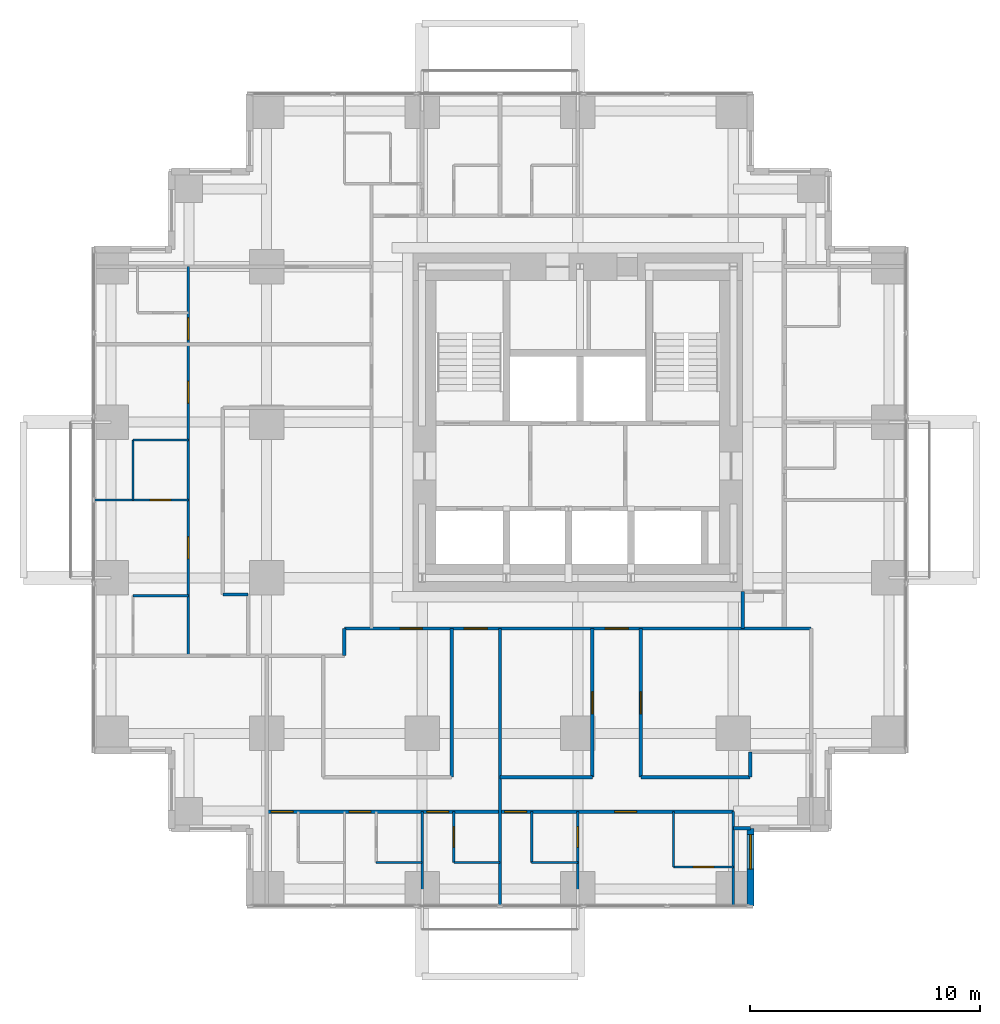
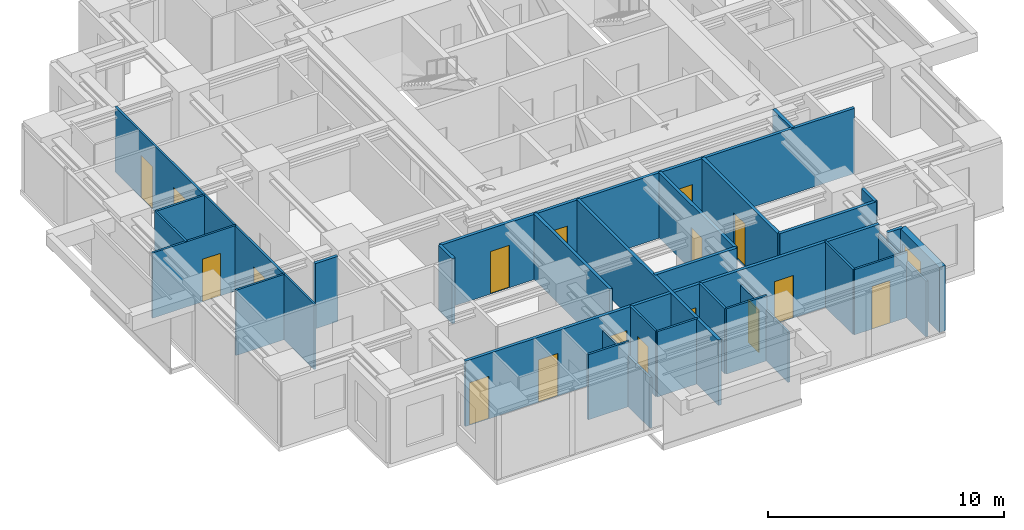
# One storey, part 6 of 10: 29 walls, 17 doors, 1 window, 18 openings.
"""IFC4 building model written with IfcOpenShell, lengths in metres."""

from ifc_helpers import new_model, si_unit, direction, frame, frame_2d, origin, place, context, subcontext, project, spatial, rectangle, extrude, material, layer, layer_set, type_object, element, fill, save


model = new_model("IFC4")

# Units and contexts
model_context = context("Model", 3, precision=1e-05, world=origin(), true_north=direction((0.0, 1.0)))
body_context = subcontext(model_context, "Body", "Model", "MODEL_VIEW")
ifc_project = project(units=[si_unit("LENGTHUNIT", "METRE"), si_unit("AREAUNIT", "SQUARE_METRE"), si_unit("VOLUMEUNIT", "CUBIC_METRE"), si_unit("PLANEANGLEUNIT", "RADIAN"), si_unit("MASSUNIT", "GRAM", prefix="KILO")], contexts=[model_context])

# Site, building, storey
site_placement = place(None, origin())
site = spatial("IfcSite", under=ifc_project, at=site_placement, CompositionType="ELEMENT")
building_placement = place(site_placement, origin())
building = spatial("IfcBuilding", under=site, at=building_placement, Name="Nyansa Garden Tower", CompositionType="ELEMENT")
storey_placement = place(building_placement, frame((0.0, 0.0, 153.0)))
storey = spatial("IfcBuildingStorey", under=building, at=storey_placement, Name="L41", CompositionType="ELEMENT", Elevation=153.0)

# Wall
ifc_material_1 = material(Name="Blockwork, plastered both sides", Category="masonry")
ifc_layer_1 = layer(ifc_material_1, 0.14990234375)
ifc_layer_set_1 = layer_set([ifc_layer_1], Name="Partition PW150")
wall_type_1 = type_object("IfcWallType", Name="Partition PW150", PredefinedType="PARTITIONING", material=ifc_layer_set_1)
wall_1_placement = place(storey_placement, frame((4.85009765625, 12.77490234375, 0.0), z_axis=(0.0, 0.0, 1.0), x_axis=(1.0, 0.0, 0.0)))
element("IfcWall", 1, at=wall_1_placement, inside=storey, type_object=wall_type_1, Name="Partition", PredefinedType="PARTITIONING", context=body_context, shape_type="SweptSolid", body=[
    extrude(rectangle(XDim=1.099853515625, YDim=0.14990234375, at=frame_2d((0.5498046875, 0.0))), origin(), (0.0, 0.0, 1.0), 3.375),
])

# Wall, openings, doors
wall_2_placement = place(storey_placement, frame((6.75, 3.35009765625, 0.0), z_axis=(0.0, 0.0, 1.0), x_axis=(1.0, 0.0, 0.0)))
wall_2 = element("IfcWall", 2, at=wall_2_placement, inside=storey, type_object=wall_type_1, Name="Partition", PredefinedType="PARTITIONING", context=body_context, shape_type="SweptSolid", body=[
    extrude(rectangle(XDim=20.25, YDim=0.14990234375, at=frame_2d((10.125, 0.0))), origin(), (0.0, 0.0, 1.0), 3.375),
])
opening_1_placement = place(wall_2_placement, frame((0.199951171875, 0.0, 0.0)))
opening_1 = element("IfcOpeningElement", 3, at=opening_1_placement, cuts=wall_2, Name="Opening D01", PredefinedType="OPENING", context=body_context, shape_type="SweptSolid", body=[
    extrude(rectangle(XDim=0.949951171875, YDim=2.199951171875, at=frame_2d((0.47509765625, 1.10009765625))), frame((0.0, 0.0849609375, 0.0), z_axis=(0.0, -1.0, 0.0), x_axis=(1.0, 0.0, 0.0)), (0.0, 0.0, 1.0), 0.169921875),
])
opening_2_placement = place(wall_2_placement, frame((3.574951171875, 0.0, 0.0)))
opening_2 = element("IfcOpeningElement", 4, at=opening_2_placement, cuts=wall_2, Name="Opening D01", PredefinedType="OPENING", context=body_context, shape_type="SweptSolid", body=[
    extrude(rectangle(XDim=0.949951171875, YDim=2.199951171875, at=frame_2d((0.47509765625, 1.10009765625))), frame((0.0, 0.0849609375, 0.0), z_axis=(0.0, -1.0, 0.0), x_axis=(1.0, 0.0, 0.0)), (0.0, 0.0, 1.0), 0.169921875),
])
opening_3_placement = place(wall_2_placement, frame((6.949951171875, 0.0, 0.0)))
opening_3 = element("IfcOpeningElement", 5, at=opening_3_placement, cuts=wall_2, Name="Opening D01", PredefinedType="OPENING", context=body_context, shape_type="SweptSolid", body=[
    extrude(rectangle(XDim=0.949951171875, YDim=2.199951171875, at=frame_2d((0.47509765625, 1.10009765625))), frame((0.0, 0.0849609375, 0.0), z_axis=(0.0, -1.0, 0.0), x_axis=(1.0, 0.0, 0.0)), (0.0, 0.0, 1.0), 0.169921875),
])
opening_4_placement = place(wall_2_placement, frame((15.10009765625, 0.0, 0.0)))
opening_4 = element("IfcOpeningElement", 6, at=opening_4_placement, cuts=wall_2, Name="Opening D14", PredefinedType="OPENING", context=body_context, shape_type="SweptSolid", body=[
    extrude(rectangle(XDim=0.949951171875, YDim=2.199951171875, at=frame_2d((0.47509765625, 1.10009765625))), frame((0.0, 0.0849609375, 0.0), z_axis=(0.0, -1.0, 0.0), x_axis=(1.0, 0.0, 0.0)), (0.0, 0.0, 1.0), 0.169921875),
])
opening_5_placement = place(wall_2_placement, frame((10.324951171875, 0.0, 0.0)))
opening_5 = element("IfcOpeningElement", 7, at=opening_5_placement, cuts=wall_2, Name="Opening D14", PredefinedType="OPENING", context=body_context, shape_type="SweptSolid", body=[
    extrude(rectangle(XDim=0.949951171875, YDim=2.199951171875, at=frame_2d((0.47509765625, 1.10009765625))), frame((0.0, 0.0849609375, 0.0), z_axis=(0.0, -1.0, 0.0), x_axis=(1.0, 0.0, 0.0)), (0.0, 0.0, 1.0), 0.169921875),
])
ifc_material_2 = material(Name="Timber flush door, 30 minute fire resisting", Category="wood")
door_type_1 = type_object("IfcDoorType", Name="Bedroom door D01 950x2200", OperationType="SINGLE_SWING_LEFT", PredefinedType="DOOR", material=ifc_material_2)
door_1_placement = place(opening_1_placement, origin())
door_1 = element("IfcDoor", 8, at=door_1_placement, inside=storey, type_object=door_type_1, Name="Door L41-018", OperationType="SINGLE_SWING_LEFT", OverallHeight=2.199951171875, OverallWidth=0.949951171875, PredefinedType="DOOR", context=body_context, shape_type="SweptSolid", body=[
    extrude(rectangle(XDim=0.949951171875, YDim=2.199951171875, at=frame_2d((0.47509765625, 1.10009765625))), frame((0.0, 0.02490234375, 0.0), z_axis=(0.0, -1.0, 0.0), x_axis=(1.0, 0.0, 0.0)), (0.0, 0.0, 1.0), 0.050048828125),
])
fill(opening_1, door_1)
door_2_placement = place(opening_2_placement, origin())
door_2 = element("IfcDoor", 9, at=door_2_placement, inside=storey, type_object=door_type_1, Name="Door L41-020", OperationType="SINGLE_SWING_LEFT", OverallHeight=2.199951171875, OverallWidth=0.949951171875, PredefinedType="DOOR", context=body_context, shape_type="SweptSolid", body=[
    extrude(rectangle(XDim=0.949951171875, YDim=2.199951171875, at=frame_2d((0.47509765625, 1.10009765625))), frame((0.0, 0.02490234375, 0.0), z_axis=(0.0, -1.0, 0.0), x_axis=(1.0, 0.0, 0.0)), (0.0, 0.0, 1.0), 0.050048828125),
])
fill(opening_2, door_2)
door_3_placement = place(opening_3_placement, origin())
door_3 = element("IfcDoor", 10, at=door_3_placement, inside=storey, type_object=door_type_1, Name="Door L41-022", OperationType="SINGLE_SWING_LEFT", OverallHeight=2.199951171875, OverallWidth=0.949951171875, PredefinedType="DOOR", context=body_context, shape_type="SweptSolid", body=[
    extrude(rectangle(XDim=0.949951171875, YDim=2.199951171875, at=frame_2d((0.47509765625, 1.10009765625))), frame((0.0, 0.02490234375, 0.0), z_axis=(0.0, -1.0, 0.0), x_axis=(1.0, 0.0, 0.0)), (0.0, 0.0, 1.0), 0.050048828125),
])
fill(opening_3, door_3)
ifc_material_3 = material(Name="Timber flush door, 60 minute fire resisting, self-closing", Category="wood")
door_type_2 = type_object("IfcDoorType", Name="Studio entrance door D14 950x2200", OperationType="SINGLE_SWING_LEFT", PredefinedType="DOOR", material=ifc_material_3)
door_4_placement = place(opening_4_placement, origin())
door_4 = element("IfcDoor", 11, at=door_4_placement, inside=storey, type_object=door_type_2, Name="Door L41-025", OperationType="SINGLE_SWING_LEFT", OverallHeight=2.199951171875, OverallWidth=0.949951171875, PredefinedType="DOOR", context=body_context, shape_type="SweptSolid", body=[
    extrude(rectangle(XDim=0.949951171875, YDim=2.199951171875, at=frame_2d((0.47509765625, 1.10009765625))), frame((0.0, 0.02490234375, 0.0), z_axis=(0.0, -1.0, 0.0), x_axis=(1.0, 0.0, 0.0)), (0.0, 0.0, 1.0), 0.050048828125),
])
fill(opening_4, door_4)
door_5_placement = place(opening_5_placement, origin())
door_5 = element("IfcDoor", 12, at=door_5_placement, inside=storey, type_object=door_type_2, Name="Door L41-027", OperationType="SINGLE_SWING_LEFT", OverallHeight=2.199951171875, OverallWidth=0.949951171875, PredefinedType="DOOR", context=body_context, shape_type="SweptSolid", body=[
    extrude(rectangle(XDim=0.949951171875, YDim=2.199951171875, at=frame_2d((0.47509765625, 1.10009765625))), frame((0.0, 0.02490234375, 0.0), z_axis=(0.0, -1.0, 0.0), x_axis=(1.0, 0.0, 0.0)), (0.0, 0.0, 1.0), 0.050048828125),
])
fill(opening_5, door_5)

# Wall
wall_3_placement = place(storey_placement, frame((10.125, 10.125, 0.0), z_axis=(0.0, 0.0, 1.0), x_axis=(0.0, 1.0, 0.0)))
element("IfcWall", 13, at=wall_3_placement, inside=storey, type_object=wall_type_1, Name="Partition", PredefinedType="PARTITIONING", context=body_context, shape_type="SweptSolid", body=[
    extrude(rectangle(XDim=1.175048828125, YDim=0.14990234375, at=frame_2d((0.58740234375, 0.0))), origin(), (0.0, 0.0, 1.0), 3.375),
])

# Wall, openings, doors
wall_4_placement = place(storey_placement, frame((10.125, 11.300048828125, 0.0), z_axis=(0.0, 0.0, 1.0), x_axis=(1.0, 0.0, 0.0)))
wall_4 = element("IfcWall", 14, at=wall_4_placement, inside=storey, type_object=wall_type_1, Name="Partition", PredefinedType="PARTITIONING", context=body_context, shape_type="SweptSolid", body=[
    extrude(rectangle(XDim=20.25, YDim=0.14990234375, at=frame_2d((10.125, 0.0))), origin(), (0.0, 0.0, 1.0), 3.375),
])
opening_6_placement = place(wall_4_placement, frame((5.199951171875, 0.0, 0.0)))
opening_6 = element("IfcOpeningElement", 15, at=opening_6_placement, cuts=wall_4, Name="Opening D03", PredefinedType="OPENING", context=body_context, shape_type="SweptSolid", body=[
    extrude(rectangle(XDim=1.0, YDim=2.199951171875, at=frame_2d((0.5, 1.10009765625))), frame((0.0, 0.0849609375, 0.0), z_axis=(0.0, -1.0, 0.0), x_axis=(1.0, 0.0, 0.0)), (0.0, 0.0, 1.0), 0.169921875),
])
opening_7_placement = place(wall_4_placement, frame((11.3125, 0.0, 0.0)))
opening_7 = element("IfcOpeningElement", 16, at=opening_7_placement, cuts=wall_4, Name="Opening D03", PredefinedType="OPENING", context=body_context, shape_type="SweptSolid", body=[
    extrude(rectangle(XDim=1.0, YDim=2.199951171875, at=frame_2d((0.5, 1.10009765625))), frame((0.0, 0.0849609375, 0.0), z_axis=(0.0, -1.0, 0.0), x_axis=(1.0, 0.0, 0.0)), (0.0, 0.0, 1.0), 0.169921875),
])
opening_8_placement = place(wall_4_placement, frame((2.425048828125, 0.0, 0.0)))
opening_8 = element("IfcOpeningElement", 17, at=opening_8_placement, cuts=wall_4, Name="Opening D01", PredefinedType="OPENING", context=body_context, shape_type="SweptSolid", body=[
    extrude(rectangle(XDim=0.949951171875, YDim=2.199951171875, at=frame_2d((0.47509765625, 1.10009765625))), frame((0.0, 0.0849609375, 0.0), z_axis=(0.0, -1.0, 0.0), x_axis=(1.0, 0.0, 0.0)), (0.0, 0.0, 1.0), 0.169921875),
])
door_6_placement = place(opening_8_placement, origin())
door_6 = element("IfcDoor", 18, at=door_6_placement, inside=storey, type_object=door_type_1, Name="Door L41-030", OperationType="SINGLE_SWING_LEFT", OverallHeight=2.199951171875, OverallWidth=0.949951171875, PredefinedType="DOOR", context=body_context, shape_type="SweptSolid", body=[
    extrude(rectangle(XDim=0.949951171875, YDim=2.199951171875, at=frame_2d((0.47509765625, 1.10009765625))), frame((0.0, 0.02490234375, 0.0), z_axis=(0.0, -1.0, 0.0), x_axis=(1.0, 0.0, 0.0)), (0.0, 0.0, 1.0), 0.050048828125),
])
fill(opening_8, door_6)
ifc_material_4 = material(Name="Timber flush door, 60 minute fire resisting", Category="wood")
door_type_3 = type_object("IfcDoorType", Name="Cluster entrance door D03 1000x2200", OperationType="SINGLE_SWING_LEFT", PredefinedType="DOOR", material=ifc_material_4)
door_7_placement = place(opening_6_placement, origin())
door_7 = element("IfcDoor", 19, at=door_7_placement, inside=storey, type_object=door_type_3, Name="Door L41-024", OperationType="SINGLE_SWING_LEFT", OverallHeight=2.199951171875, OverallWidth=1.0, PredefinedType="DOOR", context=body_context, shape_type="SweptSolid", body=[
    extrude(rectangle(XDim=1.0, YDim=2.199951171875, at=frame_2d((0.5, 1.10009765625))), frame((0.0, 0.02490234375, 0.0), z_axis=(0.0, -1.0, 0.0), x_axis=(1.0, 0.0, 0.0)), (0.0, 0.0, 1.0), 0.050048828125),
])
fill(opening_6, door_7)
door_8_placement = place(opening_7_placement, origin())
door_8 = element("IfcDoor", 20, at=door_8_placement, inside=storey, type_object=door_type_3, Name="Door L41-029", OperationType="SINGLE_SWING_LEFT", OverallHeight=2.199951171875, OverallWidth=1.0, PredefinedType="DOOR", context=body_context, shape_type="SweptSolid", body=[
    extrude(rectangle(XDim=1.0, YDim=2.199951171875, at=frame_2d((0.5, 1.10009765625))), frame((0.0, 0.02490234375, 0.0), z_axis=(0.0, -1.0, 0.0), x_axis=(1.0, 0.0, 0.0)), (0.0, 0.0, 1.0), 0.050048828125),
])
fill(opening_7, door_8)

# Walls
wall_5_placement = place(storey_placement, frame((14.77490234375, 4.85009765625, 0.0), z_axis=(0.0, 0.0, 1.0), x_axis=(0.0, 1.0, 0.0)))
element("IfcWall", 21, at=wall_5_placement, inside=storey, type_object=wall_type_1, Name="Partition", PredefinedType="PARTITIONING", context=body_context, shape_type="SweptSolid", body=[
    extrude(rectangle(XDim=6.449951171875, YDim=0.14990234375, at=frame_2d((3.22509765625, 0.0))), origin(), (0.0, 0.0, 1.0), 3.375),
])
wall_6_placement = place(storey_placement, frame((16.875, -0.73388671875, 0.0), z_axis=(0.0, 0.0, 1.0), x_axis=(0.0, 1.0, 0.0)))
element("IfcWall", 22, at=wall_6_placement, inside=storey, type_object=wall_type_1, Name="Partition", PredefinedType="PARTITIONING", context=body_context, shape_type="SweptSolid", body=[
    extrude(rectangle(XDim=12.033935546875, YDim=0.14990234375, at=frame_2d((6.01708984375, 0.0))), origin(), (0.0, 0.0, 1.0), 3.375),
])
wall_7_placement = place(storey_placement, frame((16.875, 4.85009765625, 0.0), z_axis=(0.0, 0.0, 1.0), x_axis=(1.0, 0.0, 0.0)))
element("IfcWall", 23, at=wall_7_placement, inside=storey, type_object=wall_type_1, Name="Partition", PredefinedType="PARTITIONING", context=body_context, shape_type="SweptSolid", body=[
    extrude(rectangle(XDim=4.012451171875, YDim=0.14990234375, at=frame_2d((2.00634765625, 0.0))), origin(), (0.0, 0.0, 1.0), 3.375),
])

# Wall, opening, door
wall_8_placement = place(storey_placement, frame((20.886962890625, 4.85009765625, 0.0), z_axis=(0.0, 0.0, 1.0), x_axis=(0.0, 1.0, 0.0)))
wall_8 = element("IfcWall", 24, at=wall_8_placement, inside=storey, type_object=wall_type_1, Name="Partition", PredefinedType="PARTITIONING", context=body_context, shape_type="SweptSolid", body=[
    extrude(rectangle(XDim=6.449951171875, YDim=0.14990234375, at=frame_2d((3.22509765625, 0.0))), origin(), (0.0, 0.0, 1.0), 3.375),
])
opening_9_placement = place(wall_8_placement, frame((2.75, 0.0, 0.0)))
opening_9 = element("IfcOpeningElement", 25, at=opening_9_placement, cuts=wall_8, Name="Opening D01", PredefinedType="OPENING", context=body_context, shape_type="SweptSolid", body=[
    extrude(rectangle(XDim=0.949951171875, YDim=2.199951171875, at=frame_2d((0.47509765625, 1.10009765625))), frame((0.0, 0.0849609375, 0.0), z_axis=(0.0, -1.0, 0.0), x_axis=(1.0, 0.0, 0.0)), (0.0, 0.0, 1.0), 0.169921875),
])
door_9_placement = place(opening_9_placement, origin())
door_9 = element("IfcDoor", 26, at=door_9_placement, inside=storey, type_object=door_type_1, Name="Door L41-031", OperationType="SINGLE_SWING_LEFT", OverallHeight=2.199951171875, OverallWidth=0.949951171875, PredefinedType="DOOR", context=body_context, shape_type="SweptSolid", body=[
    extrude(rectangle(XDim=0.949951171875, YDim=2.199951171875, at=frame_2d((0.47509765625, 1.10009765625))), frame((0.0, 0.02490234375, 0.0), z_axis=(0.0, -1.0, 0.0), x_axis=(1.0, 0.0, 0.0)), (0.0, 0.0, 1.0), 0.050048828125),
])
fill(opening_9, door_9)

# Wall
wall_9_placement = place(storey_placement, frame((22.987548828125, 4.85009765625, 0.0), z_axis=(0.0, 0.0, 1.0), x_axis=(1.0, 0.0, 0.0)))
element("IfcWall", 27, at=wall_9_placement, inside=storey, type_object=wall_type_1, Name="Partition", PredefinedType="PARTITIONING", context=body_context, shape_type="SweptSolid", body=[
    extrude(rectangle(XDim=4.737548828125, YDim=0.14990234375, at=frame_2d((2.36865234375, 0.0))), origin(), (0.0, 0.0, 1.0), 3.375),
])

# Wall, opening, door
wall_10_placement = place(storey_placement, frame((22.988037109375, 4.85009765625, 0.0), z_axis=(0.0, 0.0, 1.0), x_axis=(0.0, 1.0, 0.0)))
wall_10 = element("IfcWall", 28, at=wall_10_placement, inside=storey, type_object=wall_type_1, Name="Partition", PredefinedType="PARTITIONING", context=body_context, shape_type="SweptSolid", body=[
    extrude(rectangle(XDim=6.449951171875, YDim=0.14990234375, at=frame_2d((3.22509765625, 0.0))), origin(), (0.0, 0.0, 1.0), 3.375),
])
opening_10_placement = place(wall_10_placement, frame((2.75, 0.0, 0.0)))
opening_10 = element("IfcOpeningElement", 29, at=opening_10_placement, cuts=wall_10, Name="Opening D01", PredefinedType="OPENING", context=body_context, shape_type="SweptSolid", body=[
    extrude(rectangle(XDim=0.949951171875, YDim=2.199951171875, at=frame_2d((0.47509765625, 1.10009765625))), frame((0.0, 0.0849609375, 0.0), z_axis=(0.0, -1.0, 0.0), x_axis=(1.0, 0.0, 0.0)), (0.0, 0.0, 1.0), 0.169921875),
])
door_10_placement = place(opening_10_placement, origin())
door_10 = element("IfcDoor", 30, at=door_10_placement, inside=storey, type_object=door_type_1, Name="Door L41-032", OperationType="SINGLE_SWING_LEFT", OverallHeight=2.199951171875, OverallWidth=0.949951171875, PredefinedType="DOOR", context=body_context, shape_type="SweptSolid", body=[
    extrude(rectangle(XDim=0.949951171875, YDim=2.199951171875, at=frame_2d((0.47509765625, 1.10009765625))), frame((0.0, 0.02490234375, 0.0), z_axis=(0.0, -1.0, 0.0), x_axis=(1.0, 0.0, 0.0)), (0.0, 0.0, 1.0), 0.050048828125),
])
fill(opening_10, door_10)

# Walls
wall_11_placement = place(storey_placement, frame((27.0, 2.625, 0.0), z_axis=(0.0, 0.0, 1.0), x_axis=(1.0, 0.0, 0.0)))
element("IfcWall", 31, at=wall_11_placement, inside=storey, type_object=wall_type_1, Name="Partition", PredefinedType="PARTITIONING", context=body_context, shape_type="SweptSolid", body=[
    extrude(rectangle(XDim=0.73388671875, YDim=0.14990234375, at=frame_2d((0.366943359375, 0.0))), origin(), (0.0, 0.0, 1.0), 3.375),
])
wall_12_placement = place(storey_placement, frame((27.39990234375, 11.300048828125, 0.0), z_axis=(0.0, 0.0, 1.0), x_axis=(0.0, 1.0, 0.0)))
element("IfcWall", 32, at=wall_12_placement, inside=storey, type_object=wall_type_1, Name="Partition", PredefinedType="PARTITIONING", context=body_context, shape_type="SweptSolid", body=[
    extrude(rectangle(XDim=1.599853515625, YDim=0.14990234375, at=frame_2d((0.7998046875, 0.0))), origin(), (0.0, 0.0, 1.0), 3.375),
])
wall_13_placement = place(storey_placement, frame((27.72509765625, 4.85009765625, 0.0), z_axis=(0.0, 0.0, 1.0), x_axis=(0.0, 1.0, 0.0)))
element("IfcWall", 33, at=wall_13_placement, inside=storey, type_object=wall_type_1, Name="Partition", PredefinedType="PARTITIONING", context=body_context, shape_type="SweptSolid", body=[
    extrude(rectangle(XDim=1.099853515625, YDim=0.14990234375, at=frame_2d((0.5498046875, 0.0))), origin(), (0.0, 0.0, 1.0), 3.375),
])

# Wall, opening, window
ifc_material_5 = material(Name="Turquoise glazed tile on concrete blockwork", Category="masonry")
ifc_layer_2 = layer(ifc_material_5, 0.300048828125)
ifc_layer_set_2 = layer_set([ifc_layer_2], Name="Tiled corner wall TW300")
wall_type_2 = type_object("IfcWallType", Name="Tiled corner wall TW300", PredefinedType="SOLIDWALL", material=ifc_layer_set_2)
wall_14_placement = place(storey_placement, frame((27.75, -0.75, 0.0), z_axis=(0.0, 0.0, 1.0), x_axis=(0.0, 1.0, 0.0)))
wall_14 = element("IfcWall", 34, at=wall_14_placement, inside=storey, type_object=wall_type_2, Name="Tiled corner wall L41", PredefinedType="SOLIDWALL", context=body_context, shape_type="SweptSolid", body=[
    extrude(rectangle(XDim=3.375, YDim=0.300048828125, at=frame_2d((1.6875, 0.0))), origin(), (0.0, 0.0, 1.0), 3.375),
])
opening_11_placement = place(wall_14_placement, frame((1.607421875, 0.0, 0.89990234375)))
opening_11 = element("IfcOpeningElement", 35, at=opening_11_placement, cuts=wall_14, Name="Opening W1", PredefinedType="OPENING", context=body_context, shape_type="SweptSolid", body=[
    extrude(rectangle(XDim=1.5, YDim=1.800048828125, at=frame_2d((0.75, 0.89990234375))), frame((0.0, 0.159912109375, 0.0), z_axis=(0.0, -1.0, 0.0), x_axis=(1.0, 0.0, 0.0)), (0.0, 0.0, 1.0), 0.320068359375),
])
ifc_material_6 = material(Name="Black aluminium frame, dark tinted double glazing", Category="aluminium")
window_type = type_object("IfcWindowType", Name="Window W1 1500x1800", PartitioningType="SINGLE_PANEL", PredefinedType="WINDOW", material=ifc_material_6)
window_placement = place(opening_11_placement, origin())
window = element("IfcWindow", 36, at=window_placement, inside=storey, type_object=window_type, Name="Corner window L41", OverallHeight=1.800048828125, OverallWidth=1.5, PartitioningType="SINGLE_PANEL", PredefinedType="WINDOW", context=body_context, shape_type="SweptSolid", body=[
    extrude(rectangle(XDim=1.5, YDim=1.800048828125, at=frame_2d((0.75, 0.89990234375))), frame((0.0, 0.030029296875, 0.0), z_axis=(0.0, -1.0, 0.0), x_axis=(1.0, 0.0, 0.0)), (0.0, 0.0, 1.0), 0.06005859375),
])
fill(opening_11, window)

# Wall, opening, door
ifc_material_7 = material(Name="Moisture resistant board on steel studs, tiled", Category="steel")
ifc_layer_3 = layer(ifc_material_7, 0.10009765625)
ifc_layer_set_3 = layer_set([ifc_layer_3], Name="Wet wall PW100")
wall_type_3 = type_object("IfcWallType", Name="Wet wall PW100", PredefinedType="PARTITIONING", material=ifc_layer_set_3)
wall_15_placement = place(storey_placement, frame((-0.73388671875, 16.875, 0.0), z_axis=(0.0, 0.0, 1.0), x_axis=(1.0, 0.0, 0.0)))
wall_15 = element("IfcWall", 37, at=wall_15_placement, inside=storey, type_object=wall_type_3, Name="Wet wall", PredefinedType="PARTITIONING", context=body_context, shape_type="SweptSolid", body=[
    extrude(rectangle(XDim=4.083984375, YDim=0.10009765625, at=frame_2d((2.0419921875, 0.0))), origin(), (0.0, 0.0, 1.0), 3.375),
])
opening_12_placement = place(wall_15_placement, frame((2.43408203125, 0.0, 0.0)))
opening_12 = element("IfcOpeningElement", 38, at=opening_12_placement, cuts=wall_15, Name="Opening D02", PredefinedType="OPENING", context=body_context, shape_type="SweptSolid", body=[
    extrude(rectangle(XDim=0.89990234375, YDim=2.199951171875, at=frame_2d((0.449951171875, 1.10009765625))), frame((0.0, 0.06005859375, 0.0), z_axis=(0.0, -1.0, 0.0), x_axis=(1.0, 0.0, 0.0)), (0.0, 0.0, 1.0), 0.1201171875),
])
ifc_material_8 = material(Name="Timber flush door", Category="wood")
door_type_4 = type_object("IfcDoorType", Name="En-suite door D02 900x2200", OperationType="SINGLE_SWING_RIGHT", PredefinedType="DOOR", material=ifc_material_8)
door_11_placement = place(opening_12_placement, origin())
door_11 = element("IfcDoor", 39, at=door_11_placement, inside=storey, type_object=door_type_4, Name="Door L41-054", OperationType="SINGLE_SWING_RIGHT", OverallHeight=2.199951171875, OverallWidth=0.89990234375, PredefinedType="DOOR", context=body_context, shape_type="SweptSolid", body=[
    extrude(rectangle(XDim=0.89990234375, YDim=2.199951171875, at=frame_2d((0.449951171875, 1.10009765625))), frame((0.0, 0.02490234375, 0.0), z_axis=(0.0, -1.0, 0.0), x_axis=(1.0, 0.0, 0.0)), (0.0, 0.0, 1.0), 0.050048828125),
])
fill(opening_12, door_11)

# Walls
wall_16_placement = place(storey_placement, frame((0.949951171875, 12.72509765625, 0.0), z_axis=(0.0, 0.0, 1.0), x_axis=(1.0, 0.0, 0.0)))
element("IfcWall", 40, at=wall_16_placement, inside=storey, type_object=wall_type_3, Name="Wet wall", PredefinedType="PARTITIONING", context=body_context, shape_type="SweptSolid", body=[
    extrude(rectangle(XDim=2.400146484375, YDim=0.10009765625, at=frame_2d((1.2001953125, 0.0))), origin(), (0.0, 0.0, 1.0), 3.375),
])
wall_17_placement = place(storey_placement, frame((0.949951171875, 16.875, 0.0), z_axis=(0.0, 0.0, 1.0), x_axis=(0.0, 1.0, 0.0)))
element("IfcWall", 41, at=wall_17_placement, inside=storey, type_object=wall_type_3, Name="Wet wall", PredefinedType="PARTITIONING", context=body_context, shape_type="SweptSolid", body=[
    extrude(rectangle(XDim=2.60009765625, YDim=0.10009765625, at=frame_2d((1.300048828125, 0.0))), origin(), (0.0, 0.0, 1.0), 3.375),
])
wall_18_placement = place(storey_placement, frame((0.949951171875, 19.47509765625, 0.0), z_axis=(0.0, 0.0, 1.0), x_axis=(1.0, 0.0, 0.0)))
element("IfcWall", 42, at=wall_18_placement, inside=storey, type_object=wall_type_3, Name="Wet wall", PredefinedType="PARTITIONING", context=body_context, shape_type="SweptSolid", body=[
    extrude(rectangle(XDim=2.400146484375, YDim=0.10009765625, at=frame_2d((1.2001953125, 0.0))), origin(), (0.0, 0.0, 1.0), 3.375),
])

# Wall, openings, doors
wall_19_placement = place(storey_placement, frame((3.35009765625, 10.125, 0.0), z_axis=(0.0, 0.0, 1.0), x_axis=(0.0, 1.0, 0.0)))
wall_19 = element("IfcWall", 43, at=wall_19_placement, inside=storey, type_object=wall_type_3, Name="Wet wall", PredefinedType="PARTITIONING", context=body_context, shape_type="SweptSolid", body=[
    extrude(rectangle(XDim=16.875, YDim=0.10009765625, at=frame_2d((8.4375, 0.0))), origin(), (0.0, 0.0, 1.0), 3.375),
])
opening_13_placement = place(wall_19_placement, frame((13.699951171875, 0.0, 0.0)))
opening_13 = element("IfcOpeningElement", 44, at=opening_13_placement, cuts=wall_19, Name="Opening D01", PredefinedType="OPENING", context=body_context, shape_type="SweptSolid", body=[
    extrude(rectangle(XDim=0.949951171875, YDim=2.199951171875, at=frame_2d((0.47509765625, 1.10009765625))), frame((0.0, 0.06005859375, 0.0), z_axis=(0.0, -1.0, 0.0), x_axis=(1.0, 0.0, 0.0)), (0.0, 0.0, 1.0), 0.1201171875),
])
opening_14_placement = place(wall_19_placement, frame((4.199951171875, 0.0, 0.0)))
opening_14 = element("IfcOpeningElement", 45, at=opening_14_placement, cuts=wall_19, Name="Opening D14", PredefinedType="OPENING", context=body_context, shape_type="SweptSolid", body=[
    extrude(rectangle(XDim=0.949951171875, YDim=2.199951171875, at=frame_2d((0.47509765625, 1.10009765625))), frame((0.0, 0.06005859375, 0.0), z_axis=(0.0, -1.0, 0.0), x_axis=(1.0, 0.0, 0.0)), (0.0, 0.0, 1.0), 0.1201171875),
])
opening_15_placement = place(wall_19_placement, frame((10.949951171875, 0.0, 0.0)))
opening_15 = element("IfcOpeningElement", 46, at=opening_15_placement, cuts=wall_19, Name="Opening D14", PredefinedType="OPENING", context=body_context, shape_type="SweptSolid", body=[
    extrude(rectangle(XDim=0.949951171875, YDim=2.199951171875, at=frame_2d((0.47509765625, 1.10009765625))), frame((0.0, 0.06005859375, 0.0), z_axis=(0.0, -1.0, 0.0), x_axis=(1.0, 0.0, 0.0)), (0.0, 0.0, 1.0), 0.1201171875),
])
door_12_placement = place(opening_13_placement, origin())
door_12 = element("IfcDoor", 47, at=door_12_placement, inside=storey, type_object=door_type_1, Name="Door L41-048", OperationType="SINGLE_SWING_LEFT", OverallHeight=2.199951171875, OverallWidth=0.949951171875, PredefinedType="DOOR", context=body_context, shape_type="SweptSolid", body=[
    extrude(rectangle(XDim=0.949951171875, YDim=2.199951171875, at=frame_2d((0.47509765625, 1.10009765625))), frame((0.0, 0.02490234375, 0.0), z_axis=(0.0, -1.0, 0.0), x_axis=(1.0, 0.0, 0.0)), (0.0, 0.0, 1.0), 0.050048828125),
])
fill(opening_13, door_12)
door_13_placement = place(opening_14_placement, origin())
door_13 = element("IfcDoor", 48, at=door_13_placement, inside=storey, type_object=door_type_2, Name="Door L41-051", OperationType="SINGLE_SWING_LEFT", OverallHeight=2.199951171875, OverallWidth=0.949951171875, PredefinedType="DOOR", context=body_context, shape_type="SweptSolid", body=[
    extrude(rectangle(XDim=0.949951171875, YDim=2.199951171875, at=frame_2d((0.47509765625, 1.10009765625))), frame((0.0, 0.02490234375, 0.0), z_axis=(0.0, -1.0, 0.0), x_axis=(1.0, 0.0, 0.0)), (0.0, 0.0, 1.0), 0.050048828125),
])
fill(opening_14, door_13)
door_14_placement = place(opening_15_placement, origin())
door_14 = element("IfcDoor", 49, at=door_14_placement, inside=storey, type_object=door_type_2, Name="Door L41-053", OperationType="SINGLE_SWING_LEFT", OverallHeight=2.199951171875, OverallWidth=0.949951171875, PredefinedType="DOOR", context=body_context, shape_type="SweptSolid", body=[
    extrude(rectangle(XDim=0.949951171875, YDim=2.199951171875, at=frame_2d((0.47509765625, 1.10009765625))), frame((0.0, 0.02490234375, 0.0), z_axis=(0.0, -1.0, 0.0), x_axis=(1.0, 0.0, 0.0)), (0.0, 0.0, 1.0), 0.050048828125),
])
fill(opening_15, door_14)

# Walls
wall_20_placement = place(storey_placement, frame((11.5, 1.14990234375, 0.0), z_axis=(0.0, 0.0, 1.0), x_axis=(1.0, 0.0, 0.0)))
element("IfcWall", 50, at=wall_20_placement, inside=storey, type_object=wall_type_3, Name="Wet wall", PredefinedType="PARTITIONING", context=body_context, shape_type="SweptSolid", body=[
    extrude(rectangle(XDim=2.0, YDim=0.10009765625, at=frame_2d((1.0, 0.0))), origin(), (0.0, 0.0, 1.0), 3.375),
])
wall_21_placement = place(storey_placement, frame((13.5, -0.73388671875, 0.0), z_axis=(0.0, 0.0, 1.0), x_axis=(0.0, 1.0, 0.0)))
element("IfcWall", 51, at=wall_21_placement, inside=storey, type_object=wall_type_3, Name="Wet wall", PredefinedType="PARTITIONING", context=body_context, shape_type="SweptSolid", body=[
    extrude(rectangle(XDim=4.083984375, YDim=0.10009765625, at=frame_2d((2.0419921875, 0.0))), origin(), (0.0, 0.0, 1.0), 2.610107421875),
])

# Wall, opening, door
wall_22_placement = place(storey_placement, frame((14.875, 1.14990234375, 0.0), z_axis=(0.0, 0.0, 1.0), x_axis=(0.0, 1.0, 0.0)))
wall_22 = element("IfcWall", 52, at=wall_22_placement, inside=storey, type_object=wall_type_3, Name="Wet wall", PredefinedType="PARTITIONING", context=body_context, shape_type="SweptSolid", body=[
    extrude(rectangle(XDim=2.2001953125, YDim=0.10009765625, at=frame_2d((1.10009765625, 0.0))), origin(), (0.0, 0.0, 1.0), 3.375),
])
opening_16_placement = place(wall_22_placement, frame((0.64990234375, 0.0, 0.0)))
opening_16 = element("IfcOpeningElement", 53, at=opening_16_placement, cuts=wall_22, Name="Opening D02", PredefinedType="OPENING", context=body_context, shape_type="SweptSolid", body=[
    extrude(rectangle(XDim=0.89990234375, YDim=2.199951171875, at=frame_2d((0.449951171875, 1.10009765625))), frame((0.0, 0.06005859375, 0.0), z_axis=(0.0, -1.0, 0.0), x_axis=(1.0, 0.0, 0.0)), (0.0, 0.0, 1.0), 0.1201171875),
])
door_15_placement = place(opening_16_placement, origin())
door_15 = element("IfcDoor", 54, at=door_15_placement, inside=storey, type_object=door_type_4, Name="Door L41-023", OperationType="SINGLE_SWING_RIGHT", OverallHeight=2.199951171875, OverallWidth=0.89990234375, PredefinedType="DOOR", context=body_context, shape_type="SweptSolid", body=[
    extrude(rectangle(XDim=0.89990234375, YDim=2.199951171875, at=frame_2d((0.449951171875, 1.10009765625))), frame((0.0, 0.02490234375, 0.0), z_axis=(0.0, -1.0, 0.0), x_axis=(1.0, 0.0, 0.0)), (0.0, 0.0, 1.0), 0.050048828125),
])
fill(opening_16, door_15)

# Walls
wall_23_placement = place(storey_placement, frame((14.875, 1.14990234375, 0.0), z_axis=(0.0, 0.0, 1.0), x_axis=(1.0, 0.0, 0.0)))
element("IfcWall", 55, at=wall_23_placement, inside=storey, type_object=wall_type_3, Name="Wet wall", PredefinedType="PARTITIONING", context=body_context, shape_type="SweptSolid", body=[
    extrude(rectangle(XDim=2.0, YDim=0.10009765625, at=frame_2d((1.0, 0.0))), origin(), (0.0, 0.0, 1.0), 3.375),
])
wall_24_placement = place(storey_placement, frame((18.25, 1.14990234375, 0.0), z_axis=(0.0, 0.0, 1.0), x_axis=(0.0, 1.0, 0.0)))
element("IfcWall", 56, at=wall_24_placement, inside=storey, type_object=wall_type_3, Name="Wet wall", PredefinedType="PARTITIONING", context=body_context, shape_type="SweptSolid", body=[
    extrude(rectangle(XDim=2.2001953125, YDim=0.10009765625, at=frame_2d((1.10009765625, 0.0))), origin(), (0.0, 0.0, 1.0), 3.375),
])
wall_25_placement = place(storey_placement, frame((18.25, 1.14990234375, 0.0), z_axis=(0.0, 0.0, 1.0), x_axis=(1.0, 0.0, 0.0)))
element("IfcWall", 57, at=wall_25_placement, inside=storey, type_object=wall_type_3, Name="Wet wall", PredefinedType="PARTITIONING", context=body_context, shape_type="SweptSolid", body=[
    extrude(rectangle(XDim=2.0, YDim=0.10009765625, at=frame_2d((1.0, 0.0))), origin(), (0.0, 0.0, 1.0), 3.375),
])

# Wall, opening, door
wall_26_placement = place(storey_placement, frame((20.25, -0.73388671875, 0.0), z_axis=(0.0, 0.0, 1.0), x_axis=(0.0, 1.0, 0.0)))
wall_26 = element("IfcWall", 58, at=wall_26_placement, inside=storey, type_object=wall_type_3, Name="Wet wall", PredefinedType="PARTITIONING", context=body_context, shape_type="SweptSolid", body=[
    extrude(rectangle(XDim=4.083984375, YDim=0.10009765625, at=frame_2d((2.0419921875, 0.0))), origin(), (0.0, 0.0, 1.0), 2.610107421875),
])
opening_17_placement = place(wall_26_placement, frame((2.533935546875, 0.0, 0.0)))
opening_17 = element("IfcOpeningElement", 59, at=opening_17_placement, cuts=wall_26, Name="Opening D02", PredefinedType="OPENING", context=body_context, shape_type="SweptSolid", body=[
    extrude(rectangle(XDim=0.89990234375, YDim=2.199951171875, at=frame_2d((0.449951171875, 1.10009765625))), frame((0.0, 0.06005859375, 0.0), z_axis=(0.0, -1.0, 0.0), x_axis=(1.0, 0.0, 0.0)), (0.0, 0.0, 1.0), 0.1201171875),
])
door_16_placement = place(opening_17_placement, origin())
door_16 = element("IfcDoor", 60, at=door_16_placement, inside=storey, type_object=door_type_4, Name="Door L41-028", OperationType="SINGLE_SWING_RIGHT", OverallHeight=2.199951171875, OverallWidth=0.89990234375, PredefinedType="DOOR", context=body_context, shape_type="SweptSolid", body=[
    extrude(rectangle(XDim=0.89990234375, YDim=2.199951171875, at=frame_2d((0.449951171875, 1.10009765625))), frame((0.0, 0.02490234375, 0.0), z_axis=(0.0, -1.0, 0.0), x_axis=(1.0, 0.0, 0.0)), (0.0, 0.0, 1.0), 0.050048828125),
])
fill(opening_17, door_16)

# Wall
wall_27_placement = place(storey_placement, frame((24.39990234375, 0.949951171875, 0.0), z_axis=(0.0, 0.0, 1.0), x_axis=(0.0, 1.0, 0.0)))
element("IfcWall", 61, at=wall_27_placement, inside=storey, type_object=wall_type_3, Name="Wet wall", PredefinedType="PARTITIONING", context=body_context, shape_type="SweptSolid", body=[
    extrude(rectangle(XDim=2.400146484375, YDim=0.10009765625, at=frame_2d((1.2001953125, 0.0))), origin(), (0.0, 0.0, 1.0), 3.375),
])

# Wall, opening, door
wall_28_placement = place(storey_placement, frame((24.39990234375, 0.949951171875, 0.0), z_axis=(0.0, 0.0, 1.0), x_axis=(1.0, 0.0, 0.0)))
wall_28 = element("IfcWall", 62, at=wall_28_placement, inside=storey, type_object=wall_type_3, Name="Wet wall", PredefinedType="PARTITIONING", context=body_context, shape_type="SweptSolid", body=[
    extrude(rectangle(XDim=2.60009765625, YDim=0.10009765625, at=frame_2d((1.300048828125, 0.0))), origin(), (0.0, 0.0, 1.0), 3.375),
])
opening_18_placement = place(wall_28_placement, frame((0.85009765625, 0.0, 0.0)))
opening_18 = element("IfcOpeningElement", 63, at=opening_18_placement, cuts=wall_28, Name="Opening D02", PredefinedType="OPENING", context=body_context, shape_type="SweptSolid", body=[
    extrude(rectangle(XDim=0.89990234375, YDim=2.199951171875, at=frame_2d((0.449951171875, 1.10009765625))), frame((0.0, 0.06005859375, 0.0), z_axis=(0.0, -1.0, 0.0), x_axis=(1.0, 0.0, 0.0)), (0.0, 0.0, 1.0), 0.1201171875),
])
door_17_placement = place(opening_18_placement, origin())
door_17 = element("IfcDoor", 64, at=door_17_placement, inside=storey, type_object=door_type_4, Name="Door L41-026", OperationType="SINGLE_SWING_RIGHT", OverallHeight=2.199951171875, OverallWidth=0.89990234375, PredefinedType="DOOR", context=body_context, shape_type="SweptSolid", body=[
    extrude(rectangle(XDim=0.89990234375, YDim=2.199951171875, at=frame_2d((0.449951171875, 1.10009765625))), frame((0.0, 0.02490234375, 0.0), z_axis=(0.0, -1.0, 0.0), x_axis=(1.0, 0.0, 0.0)), (0.0, 0.0, 1.0), 0.050048828125),
])
fill(opening_18, door_17)

# Wall
wall_29_placement = place(storey_placement, frame((27.0, -0.73388671875, 0.0), z_axis=(0.0, 0.0, 1.0), x_axis=(0.0, 1.0, 0.0)))
element("IfcWall", 65, at=wall_29_placement, inside=storey, type_object=wall_type_3, Name="Wet wall", PredefinedType="PARTITIONING", context=body_context, shape_type="SweptSolid", body=[
    extrude(rectangle(XDim=4.083984375, YDim=0.10009765625, at=frame_2d((2.0419921875, 0.0))), origin(), (0.0, 0.0, 1.0), 2.876953125),
])

save(model, "model.ifc")
